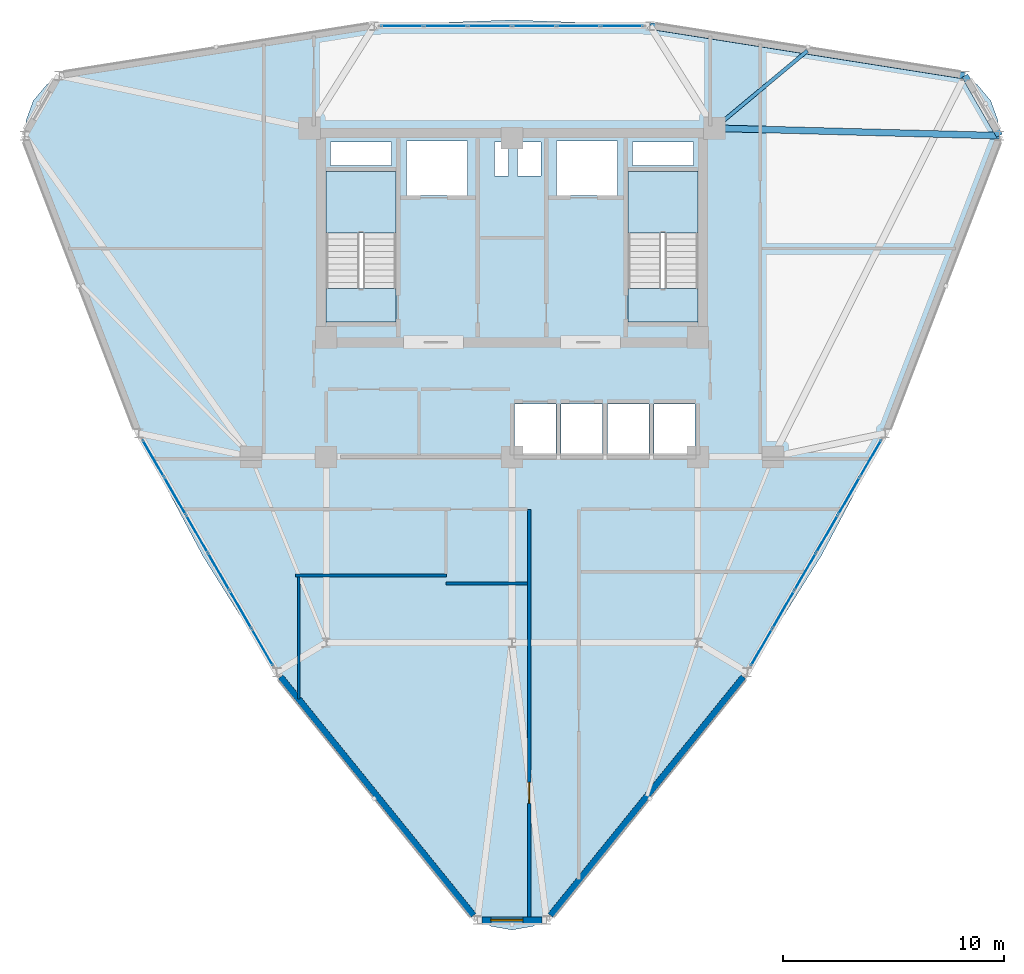
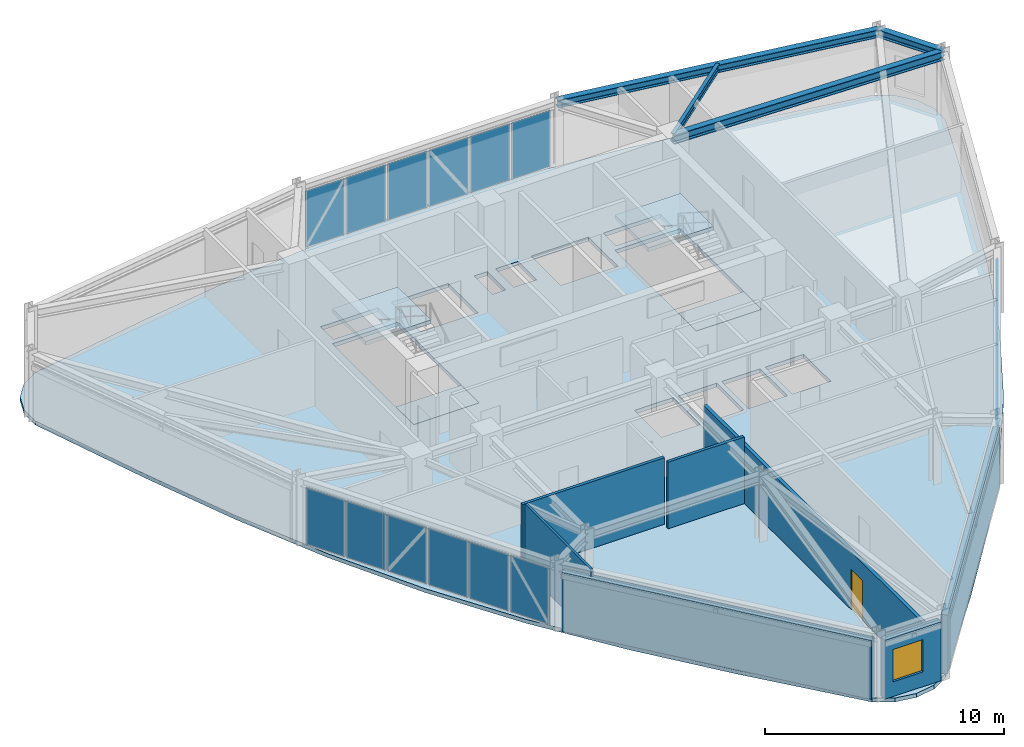
# One storey, part 9 of 14: 18 plates, 7 walls, 5 slabs, 4 beams, 1 door, 1 window, 2 openings, 5 elements without a shape of their own.
"""IFC4 building model written with IfcOpenShell, lengths in metres."""

import ifcopenshell
import ifcopenshell.guid

model = None  # the IFC model being written
_history = None  # IfcOwnerHistory: only IFC2X3 demands one
_inside = {}  # id of a spatial element -> (the spatial element, [elements in it])
_under = {}  # id of a project, library or spatial element -> (it, [spatial elements below it])
_declared = {}  # id of a project -> (the project, [libraries it declares])
_typed = {}  # id of a type object -> (the type object, [elements of that type])
_made_of = {}  # id of a material, layer set ... -> (it, [elements and type objects made of it])


def new_model(schema):
    """Start an empty IFC model of exactly this schema.

    Asked for "IFC4X3", IfcOpenShell would pick the latest addendum, in which some entities
    have other attributes; the version numbers below select the first issue.
    IFC2X3 requires an IfcOwnerHistory on every rooted entity: one is made here for all.
    """
    global model, _history
    if schema == "IFC4X3":
        model = ifcopenshell.file(schema_version=(4, 3, 0, 0))
    else:
        model = ifcopenshell.file(schema=schema)
    _inside.clear()
    _under.clear()
    _declared.clear()
    _typed.clear()
    _made_of.clear()
    _history = None
    if model.schema == "IFC2X3":
        org = make("IfcOrganization", Name="unknown")
        user = make(
            "IfcPersonAndOrganization",
            ThePerson=make("IfcPerson", FamilyName="unknown"),
            TheOrganization=org,
        )
        app = make(
            "IfcApplication",
            ApplicationDeveloper=org,
            Version="unknown",
            ApplicationFullName="unknown",
            ApplicationIdentifier="unknown",
        )
        _history = make(
            "IfcOwnerHistory",
            OwningUser=user,
            OwningApplication=app,
            ChangeAction="ADDED",
            CreationDate=0,
        )
    return model


def make(cls, **values):
    """One entity of the class cls with the attributes given. An attribute that is None is left unset."""
    return model.create_entity(
        cls, **{name: value for name, value in values.items() if value is not None}
    )


def rooted(cls, **values):
    """An entity with a GlobalId (a new one), such as an element, a storey or a relation."""
    return make(cls, GlobalId=ifcopenshell.guid.new(), OwnerHistory=_history, **values)


def si_unit(unit_type, name, prefix=None):
    """IfcSIUnit, for example si_unit("LENGTHUNIT", "METRE", prefix="MILLI")."""
    return make("IfcSIUnit", UnitType=unit_type, Prefix=prefix, Name=name)


def derived_unit(unit_type, elements):
    """IfcDerivedUnit: a product of units, each with its exponent."""
    return make(
        "IfcDerivedUnit",
        Elements=[
            make("IfcDerivedUnitElement", Unit=unit, Exponent=power)
            for unit, power in elements
        ],
        UnitType=unit_type,
    )


def assignment(units):
    """IfcUnitAssignment: the units of a project."""
    return None if units is None else make("IfcUnitAssignment", Units=units)


def point(xyz):
    """IfcCartesianPoint."""
    return None if xyz is None else make("IfcCartesianPoint", Coordinates=xyz)


def direction(xyz):
    """IfcDirection."""
    return None if xyz is None else make("IfcDirection", DirectionRatios=xyz)


def frame(location, z_axis=None, x_axis=None):
    """IfcAxis2Placement3D, a coordinate frame: its origin and axes. An axis left out is left unset."""
    return make(
        "IfcAxis2Placement3D",
        Location=point(location),
        Axis=direction(z_axis),
        RefDirection=direction(x_axis),
    )


def frame_2d(location, x_axis=None):
    """IfcAxis2Placement2D, a coordinate frame in the plane: its origin and x axis."""
    return make(
        "IfcAxis2Placement2D", Location=point(location), RefDirection=direction(x_axis)
    )


def origin():
    """The frame at (0, 0, 0) with its axes left unset."""
    return frame((0.0, 0.0, 0.0))


def origin_2d():
    """The frame at (0, 0) in the plane with its x axis left unset."""
    return frame_2d((0.0, 0.0))


def place(relative_to, where):
    """IfcLocalPlacement: puts the frame where relative to a parent placement (None: the world)."""
    return make(
        "IfcLocalPlacement", PlacementRelTo=relative_to, RelativePlacement=where
    )


def context(
    kind, dimensions, precision=None, world=None, true_north=None, identifier=None
):
    """IfcGeometricRepresentationContext, for example the 3D "Model" context."""
    return make(
        "IfcGeometricRepresentationContext",
        ContextIdentifier=identifier,
        ContextType=kind,
        CoordinateSpaceDimension=dimensions,
        Precision=precision,
        WorldCoordinateSystem=world,
        TrueNorth=true_north,
    )


def subcontext(parent, identifier, kind, view, scale=None):
    """IfcGeometricRepresentationSubContext, for example "Body" below "Model"."""
    return make(
        "IfcGeometricRepresentationSubContext",
        ContextIdentifier=identifier,
        ContextType=kind,
        ParentContext=parent,
        TargetScale=scale,
        TargetView=view,
    )


def project(units=None, contexts=None):
    """IfcProject with its units and contexts."""
    return rooted(
        "IfcProject",
        Name="project",
        RepresentationContexts=contexts,
        UnitsInContext=assignment(units),
    )


def spatial(cls, under=None, at=None, **own):
    """A site, building, storey or space (cls), placed at a placement, below another one or the project."""
    s = rooted(cls, ObjectPlacement=at, **own)
    if under is not None:
        _under.setdefault(under.id(), (under, []))[1].append(s)
    return s


def polyline(points):
    """IfcPolyline through the points."""
    return make("IfcPolyline", Points=[point(p) for p in points])


def profile(cls, at=None, kind="AREA", **sizes):
    """A parametric profile (cls). Its sizes go by their IFC names, for example OverallWidth=200.0."""
    return make(cls, ProfileType=kind, Position=at, **sizes)


def rectangle(**sizes):
    """IfcRectangleProfileDef."""
    return profile("IfcRectangleProfileDef", **sizes)


def i_section(**sizes):
    """IfcIShapeProfileDef."""
    return profile("IfcIShapeProfileDef", **sizes)


def outline(outer, holes=None, kind="AREA"):
    """IfcArbitraryClosedProfileDef: a profile drawn as a closed curve; with holes, ...WithVoids."""
    if holes is None:
        return make("IfcArbitraryClosedProfileDef", ProfileType=kind, OuterCurve=outer)
    return make(
        "IfcArbitraryProfileDefWithVoids",
        ProfileType=kind,
        OuterCurve=outer,
        InnerCurves=holes,
    )


def extrude(swept, where, along, depth):
    """IfcExtrudedAreaSolid: the profile swept, set in the frame where, extruded along a direction by depth."""
    return make(
        "IfcExtrudedAreaSolid",
        SweptArea=swept,
        Position=where,
        ExtrudedDirection=direction(along),
        Depth=depth,
    )


def shape(context_of_items, identifier, shape_type, items):
    """IfcShapeRepresentation: the items that make up one representation, for example the "Body"."""
    return make(
        "IfcShapeRepresentation",
        ContextOfItems=context_of_items,
        RepresentationIdentifier=identifier,
        RepresentationType=shape_type,
        Items=items,
    )


def source(mapping_origin, context_of_items, identifier, shape_type, items):
    """IfcRepresentationMap: a shape defined once, which mapped items show again and again."""
    return make(
        "IfcRepresentationMap",
        MappingOrigin=mapping_origin,
        MappedRepresentation=shape(context_of_items, identifier, shape_type, items),
    )


def transform(
    local_origin,
    x_axis=None,
    y_axis=None,
    z_axis=None,
    scale=None,
    scale2=None,
    scale3=None,
    uniform=True,
):
    """IfcCartesianTransformationOperator3D, or its non-uniform kind. x_axis, y_axis, z_axis: its Axis1, 2, 3."""
    if uniform:
        return make(
            "IfcCartesianTransformationOperator3D",
            Axis1=direction(x_axis),
            Axis2=direction(y_axis),
            LocalOrigin=point(local_origin),
            Scale=scale,
            Axis3=direction(z_axis),
        )
    return make(
        "IfcCartesianTransformationOperator3DnonUniform",
        Axis1=direction(x_axis),
        Axis2=direction(y_axis),
        LocalOrigin=point(local_origin),
        Scale=scale,
        Axis3=direction(z_axis),
        Scale2=scale2,
        Scale3=scale3,
    )


def mapped(mapping_source, mapping_target):
    """IfcMappedItem: shows the shape of a source again, moved by a transform."""
    return make(
        "IfcMappedItem", MappingSource=mapping_source, MappingTarget=mapping_target
    )


def material(Name=None, Category=None):
    """IfcMaterial."""
    return make("IfcMaterial", Name=Name, Category=Category)


def layer(
    of_material, thickness, ventilated=None, Name=None, Category=None, Priority=None
):
    """IfcMaterialLayer: one layer of a wall or slab, of a material (None: an air gap)."""
    return make(
        "IfcMaterialLayer",
        Material=of_material,
        LayerThickness=thickness,
        IsVentilated=ventilated,
        Name=Name,
        Category=Category,
        Priority=Priority,
    )


def layer_set(layers, Name=None):
    """IfcMaterialLayerSet."""
    return make("IfcMaterialLayerSet", MaterialLayers=layers, LayerSetName=Name)


def material_profile(
    of_material, cross_section, Name=None, Category=None, Priority=None
):
    """IfcMaterialProfile: a cross section and its material."""
    return make(
        "IfcMaterialProfile",
        Name=Name,
        Material=of_material,
        Profile=cross_section,
        Priority=Priority,
        Category=Category,
    )


def profile_set(profiles, Name=None, composite=None):
    """IfcMaterialProfileSet."""
    return make(
        "IfcMaterialProfileSet",
        Name=Name,
        MaterialProfiles=profiles,
        CompositeProfile=composite,
    )


def made_of(thing, what):
    """Note that an element or type object is made of a material, layer set ...; save() writes the relation."""
    if what is not None:
        _made_of.setdefault(what.id(), (what, []))[1].append(thing)
    return thing


def type_object(cls, material=None, **own):
    """A type object (cls), such as IfcWallType, which elements share."""
    return made_of(rooted(cls, **own), material)


def element(
    cls,
    number,
    at=None,
    inside=None,
    cuts=None,
    type_object=None,
    material=None,
    context=None,
    identifier="Body",
    shape_type=None,
    held_by="IfcProductDefinitionShape",
    body=None,
    shapes=None,
    **own,
):
    """One element of the class cls, such as IfcWall. Its Tag is "e" and its number.

    at: its placement. inside: the storey or other place that contains it. cuts: it is an
    opening in that element (IfcRelVoidsElement). A single representation is given by context,
    identifier, shape_type and body (its items); several are given by shapes. held_by: the class
    of the entity that holds the representations. save() writes the other relations.
    """
    e = rooted(cls, Tag="e%d" % number, ObjectPlacement=at, **own)
    if body is not None:
        shapes = [shape(context, identifier, shape_type, body)]
    if shapes is not None:
        e.Representation = make(held_by, Representations=shapes)
    if inside is not None:
        _inside.setdefault(inside.id(), (inside, []))[1].append(e)
    if cuts is not None:
        rooted(
            "IfcRelVoidsElement", RelatingBuildingElement=cuts, RelatedOpeningElement=e
        )
    if type_object is not None:
        _typed.setdefault(type_object.id(), (type_object, []))[1].append(e)
    return made_of(e, material)


def fill(opening, filler):
    """IfcRelFillsElement: the door or window that sits in an opening."""
    return rooted(
        "IfcRelFillsElement",
        RelatingOpeningElement=opening,
        RelatedBuildingElement=filler,
    )


def aggregate(whole, parts):
    """IfcRelAggregates: a whole, such as a stair, and the parts it consists of."""
    return rooted("IfcRelAggregates", RelatingObject=whole, RelatedObjects=parts)


def save(model, path):
    """Write the relations noted so far, then the file.

    IfcRelAggregates (storeys below a building ...), IfcRelContainedInSpatialStructure (elements
    in a storey), IfcRelDefinesByType, IfcRelAssociatesMaterial and IfcRelDeclares: one each for
    every whole, place, type object, material and project.
    """
    for whole, parts in _under.values():
        aggregate(whole, parts)
    for where, things in _inside.values():
        rooted(
            "IfcRelContainedInSpatialStructure",
            RelatedElements=things,
            RelatingStructure=where,
        )
    for kind, things in _typed.values():
        rooted("IfcRelDefinesByType", RelatedObjects=things, RelatingType=kind)
    for what, things in _made_of.values():
        rooted("IfcRelAssociatesMaterial", RelatedObjects=things, RelatingMaterial=what)
    for by, libraries in _declared.values():
        rooted("IfcRelDeclares", RelatingContext=by, RelatedDefinitions=libraries)
    model.write(path)


model = new_model("IFC4")

# Units and contexts
model_context = context("Model", 3, precision=1e-05, world=origin(), true_north=direction((0.0, 1.0)))
body_context = subcontext(model_context, "Body", "Model", "MODEL_VIEW")
ifc_project = project(units=[si_unit("LENGTHUNIT", "METRE"), si_unit("AREAUNIT", "SQUARE_METRE"), si_unit("VOLUMEUNIT", "CUBIC_METRE"), si_unit("PLANEANGLEUNIT", "RADIAN"), si_unit("MASSUNIT", "GRAM", prefix="KILO"), derived_unit("THERMALTRANSMITTANCEUNIT", [(si_unit("POWERUNIT", "WATT"), 1), (si_unit("LENGTHUNIT", "METRE"), -2), (si_unit("THERMODYNAMICTEMPERATUREUNIT", "KELVIN"), -1)])], contexts=[model_context])

# Site, building, storey
site_placement = place(None, origin())
site = spatial("IfcSite", under=ifc_project, at=site_placement, CompositionType="ELEMENT")
building_placement = place(site_placement, origin())
building = spatial("IfcBuilding", under=site, at=building_placement, Name="Korsvarv Bourse and Concert Hall", CompositionType="ELEMENT")
storey_placement = place(building_placement, frame((0.0, 0.0, 190.199951171875)))
storey = spatial("IfcBuildingStorey", under=building, at=storey_placement, Name="L49", CompositionType="ELEMENT", Elevation=190.199951171875)

# Beams
ifc_material_1 = material(Name="Steel S355", Category="steel")
ifc_material_profile_1 = material_profile(ifc_material_1, i_section(OverallWidth=0.300048828125, OverallDepth=0.389892578125, WebThickness=0.010986328125, FlangeThickness=0.01904296875, FilletRadius=0.02099609375, at=origin_2d()), Name="HEA 400")
ifc_profile_set_1 = profile_set([ifc_material_profile_1], Name="Steel S355")
beam_type_1 = type_object("IfcBeamType", Name="BM-HEA400", PredefinedType="BEAM", material=ifc_profile_set_1)
shared_shape_1 = source(origin(), body_context, "Body", "SweptSolid", [
    extrude(i_section(OverallWidth=0.300048828125, OverallDepth=0.389892578125, WebThickness=0.010986328125, FlangeThickness=0.01904296875, FilletRadius=0.02099609375, at=origin_2d()), origin(), (0.0, 0.0, 1.0), 3.12939453125),
])
beam_1_placement = place(storey_placement, frame((58.0302734375, 46.912353515625, 3.205078125), z_axis=(-0.499990325971, 0.866030989016, 0.0), x_axis=(-0.866030989016, -0.499990325971, 0.0)))
element("IfcBeam", 1, at=beam_1_placement, inside=storey, type_object=beam_type_1, Name="L49 beam B-11", PredefinedType="BEAM", context=body_context, shape_type="MappedRepresentation", body=[
    mapped(shared_shape_1, transform((0.0, 0.0, 0.0), scale=1.0)),
])
shared_shape_2 = source(origin(), body_context, "Body", "SweptSolid", [
    extrude(i_section(OverallWidth=0.300048828125, OverallDepth=0.389892578125, WebThickness=0.010986328125, FlangeThickness=0.01904296875, FilletRadius=0.02099609375, at=origin_2d()), origin(), (0.0, 0.0, 1.0), 14.4091796875),
])
beam_2_placement = place(storey_placement, frame((56.465576171875, 49.62255859375, 3.205078125), z_axis=(-0.987741112202, 0.156100913728, 0.0), x_axis=(-0.156100913728, -0.987741112202, 0.0)))
element("IfcBeam", 2, at=beam_2_placement, inside=storey, type_object=beam_type_1, Name="L49 beam B-11", PredefinedType="BEAM", context=body_context, shape_type="MappedRepresentation", body=[
    mapped(shared_shape_2, transform((0.0, 0.0, 0.0), scale=1.0)),
])
ifc_material_profile_2 = material_profile(ifc_material_1, i_section(OverallWidth=0.300048828125, OverallDepth=0.449951171875, WebThickness=0.013916015625, FlangeThickness=0.02587890625, FilletRadius=0.02099609375, at=origin_2d()), Name="HEB 450")
ifc_profile_set_2 = profile_set([ifc_material_profile_2], Name="Steel S355")
beam_type_2 = type_object("IfcBeamType", Name="BM-HEB450", PredefinedType="SPANDREL", material=ifc_profile_set_2)
shared_shape_3 = source(origin(), body_context, "Body", "SweptSolid", [
    extrude(i_section(OverallWidth=0.300048828125, OverallDepth=0.449951171875, WebThickness=0.013916015625, FlangeThickness=0.02587890625, FilletRadius=0.02099609375, at=origin_2d()), origin(), (0.0, 0.0, 1.0), 12.884765625),
])
beam_3_placement = place(storey_placement, frame((58.0302734375, 46.912353515625, 3.175048828125), z_axis=(-0.999656589191, 0.026205031708, 0.0), x_axis=(-0.026205031708, -0.999656589191, 0.0)))
element("IfcBeam", 3, at=beam_3_placement, inside=storey, type_object=beam_type_2, Name="L49 beam B-08", PredefinedType="SPANDREL", context=body_context, shape_type="MappedRepresentation", body=[
    mapped(shared_shape_3, transform((0.0, 0.0, 0.0), scale=1.0)),
])
ifc_material_profile_3 = material_profile(ifc_material_1, i_section(OverallWidth=0.169921875, OverallDepth=0.360107421875, WebThickness=0.008056640625, FlangeThickness=0.0126953125, FilletRadius=0.01806640625, at=origin_2d()), Name="IPE 360")
ifc_profile_set_3 = profile_set([ifc_material_profile_3], Name="Steel S355")
beam_type_3 = type_object("IfcBeamType", Name="BM-IPE360", PredefinedType="JOIST", material=ifc_profile_set_3)
shared_shape_4 = source(origin(), body_context, "Body", "SweptSolid", [
    extrude(i_section(OverallWidth=0.169921875, OverallDepth=0.360107421875, WebThickness=0.008056640625, FlangeThickness=0.0126953125, FilletRadius=0.01806640625, at=origin_2d()), origin(), (0.0, 0.0, 1.0), 5.465087890625),
])
beam_4_placement = place(storey_placement, frame((49.349365234375, 50.747314453125, 3.219970703125), z_axis=(-0.768422636875, -0.639942693636, 0.0), x_axis=(0.639942693636, -0.768422636875, 0.0)))
element("IfcBeam", 4, at=beam_4_placement, inside=storey, type_object=beam_type_3, Name="L49 beam J-06", PredefinedType="JOIST", context=body_context, shape_type="MappedRepresentation", body=[
    mapped(shared_shape_4, transform((0.0, 0.0, 0.0), scale=1.0)),
])

# Slabs
ifc_material_2 = material(Name="Precast concrete C45/55", Category="concrete")
ifc_layer_1 = layer(ifc_material_2, 0.199951171875)
ifc_layer_set_1 = layer_set([ifc_layer_1], Name="Precast concrete C45/55")
slab_type_1 = type_object("IfcSlabType", Name="SLB-FLND-T", PredefinedType="LANDING", material=ifc_layer_set_1)
slab_1_placement = place(storey_placement, frame((0.0, 0.0, -0.199951171875)))
element("IfcSlab", 5, at=slab_1_placement, inside=storey, type_object=slab_type_1, Name="L49 Stair ST-T1 Floor Landing Slab", PredefinedType="LANDING", context=body_context, shape_type="SweptSolid", body=[
    extrude(outline(polyline([(30.760009765625, 38.5), (30.760009765625, 40.0), (27.60009765625, 40.0), (27.60009765625, 38.5), (30.760009765625, 38.5)])), origin(), (0.0, 0.0, 1.0), 0.199951171875),
])
slab_2_placement = place(storey_placement, frame((0.0, 0.0, -0.199951171875)))
element("IfcSlab", 6, at=slab_2_placement, inside=storey, type_object=slab_type_1, Name="L49 Stair ST-T2 Floor Landing Slab", PredefinedType="LANDING", context=body_context, shape_type="SweptSolid", body=[
    extrude(outline(polyline([(44.39990234375, 38.5), (44.39990234375, 40.0), (41.239990234375, 40.0), (41.239990234375, 38.5), (44.39990234375, 38.5)])), origin(), (0.0, 0.0, 1.0), 0.199951171875),
])

# Stair, slab
stair_type = type_object("IfcStairType", Name="STR-TYPE-04", PredefinedType="HALF_TURN_STAIR", material=ifc_material_2)
stair_1_placement = place(storey_placement, origin())
stair_1 = element("IfcStair", 7, at=stair_1_placement, inside=storey, type_object=stair_type, Name="L49 Tower West Exit Stair ST-T1", PredefinedType="HALF_TURN_STAIR")
ifc_layer_2 = layer(ifc_material_2, 0.199951171875)
ifc_layer_set_2 = layer_set([ifc_layer_2], Name="Precast concrete C45/55")
slab_type_2 = type_object("IfcSlabType", Name="SLB-ST-LND", PredefinedType="LANDING", material=ifc_layer_set_2)
slab_3_placement = place(storey_placement, frame((0.0, 0.0, 1.60009765625)))
slab_3 = element("IfcSlab", 8, at=slab_3_placement, type_object=slab_type_2, Name="ST-T1 landing 1", PredefinedType="LANDING", context=body_context, shape_type="SweptSolid", body=[
    extrude(outline(polyline([(30.760009765625, 42.52001953125), (30.760009765625, 45.300048828125), (27.60009765625, 45.300048828125), (27.60009765625, 42.52001953125), (30.760009765625, 42.52001953125)])), origin(), (0.0, 0.0, 1.0), 0.199951171875),
])
aggregate(stair_1, [slab_3])

stair_2_placement = place(storey_placement, origin())
stair_2 = element("IfcStair", 9, at=stair_2_placement, inside=storey, type_object=stair_type, Name="L49 Tower East Exit Stair ST-T2", PredefinedType="HALF_TURN_STAIR")
slab_4_placement = place(storey_placement, frame((0.0, 0.0, 1.60009765625)))
slab_4 = element("IfcSlab", 10, at=slab_4_placement, type_object=slab_type_2, Name="ST-T2 landing 1", PredefinedType="LANDING", context=body_context, shape_type="SweptSolid", body=[
    extrude(outline(polyline([(44.39990234375, 42.52001953125), (44.39990234375, 45.300048828125), (41.239990234375, 45.300048828125), (41.239990234375, 42.52001953125), (44.39990234375, 42.52001953125)])), origin(), (0.0, 0.0, 1.0), 0.199951171875),
])
aggregate(stair_2, [slab_4])

# Slab
ifc_material_3 = material(Name="Concrete C45/55", Category="concrete")
ifc_layer_3 = layer(ifc_material_3, 0.199951171875)
ifc_layer_set_3 = layer_set([ifc_layer_3], Name="Concrete C45/55")
slab_type_3 = type_object("IfcSlabType", Name="SLB-TW2", PredefinedType="FLOOR", material=ifc_layer_set_3)
slab_5_placement = place(storey_placement, frame((0.0, 0.0, -0.199951171875)))
element("IfcSlab", 11, at=slab_5_placement, inside=storey, type_object=slab_type_3, Name="L49 tower structural floor slab", PredefinedType="FLOOR", context=body_context, shape_type="SweptSolid", body=[
    extrude(outline(polyline([(57.580810546875, 45.571044921875), (55.926025390625, 40.9873046875), (54.166015625, 36.489013671875), (52.205078125, 32.126953125), (49.977294921875, 27.93017578125), (47.45654296875, 23.902587890625), (44.659423828125, 20.023193359375), (41.64404296875, 16.25), (38.501708984375, 12.52490234375), (38.5, 12.523193359375), (37.781494140625, 11.6669921875), (36.947998046875, 11.185791015625), (36.0, 11.0185546875), (35.052001953125, 11.185791015625), (34.218505859375, 11.6669921875), (33.5, 12.523193359375), (33.498291015625, 12.52490234375), (30.35595703125, 16.25), (27.340576171875, 20.023193359375), (24.54345703125, 23.902587890625), (22.022705078125, 27.93017578125), (19.794921875, 32.126953125), (17.833984375, 36.489013671875), (16.073974609375, 40.9873046875), (14.419189453125, 45.571044921875), (14.41845703125, 45.5732421875), (14.0361328125, 46.62353515625), (14.0361328125, 47.586181640625), (14.365478515625, 48.49072265625), (14.984130859375, 49.22802734375), (15.81787109375, 49.70947265625), (16.918701171875, 49.903564453125), (16.9208984375, 49.904052734375), (21.718017578125, 50.762939453125), (26.493408203125, 51.48779296875), (31.251708984375, 51.970458984375), (36.0, 52.1396484375), (40.748291015625, 51.970458984375), (45.506591796875, 51.48779296875), (50.281982421875, 50.762939453125), (55.0791015625, 49.904052734375), (55.081298828125, 49.903564453125), (56.18212890625, 49.70947265625), (57.015869140625, 49.22802734375), (57.634521484375, 48.49072265625), (57.9638671875, 47.586181640625), (57.9638671875, 46.62353515625), (57.58154296875, 45.5732421875), (57.580810546875, 45.571044921875)]), holes=[polyline([(30.760009765625, 38.5), (30.760009765625, 45.300048828125), (27.60009765625, 45.300048828125), (27.60009765625, 38.5), (30.760009765625, 38.5)]), polyline([(44.39990234375, 38.5), (44.39990234375, 45.300048828125), (41.239990234375, 45.300048828125), (41.239990234375, 38.5), (44.39990234375, 38.5)]), polyline([(31.239990234375, 44.219970703125), (34.0, 44.219970703125), (34.0, 46.679931640625), (31.239990234375, 46.679931640625), (31.239990234375, 44.219970703125)]), polyline([(38.0, 44.219970703125), (40.760009765625, 44.219970703125), (40.760009765625, 46.679931640625), (38.0, 46.679931640625), (38.0, 44.219970703125)]), polyline([(36.1201171875, 32.52001953125), (37.97998046875, 32.52001953125), (37.97998046875, 34.780029296875), (36.1201171875, 34.780029296875), (36.1201171875, 32.52001953125)]), polyline([(38.219970703125, 32.52001953125), (40.080078125, 32.52001953125), (40.080078125, 34.780029296875), (38.219970703125, 34.780029296875), (38.219970703125, 32.52001953125)]), polyline([(40.320068359375, 32.52001953125), (42.179931640625, 32.52001953125), (42.179931640625, 34.780029296875), (40.320068359375, 34.780029296875), (40.320068359375, 32.52001953125)]), polyline([(42.419921875, 32.52001953125), (44.280029296875, 32.52001953125), (44.280029296875, 34.780029296875), (42.419921875, 34.780029296875), (42.419921875, 32.52001953125)]), polyline([(27.800048828125, 45.56005859375), (30.56005859375, 45.56005859375), (30.56005859375, 46.6201171875), (27.800048828125, 46.6201171875), (27.800048828125, 45.56005859375)]), polyline([(41.43994140625, 45.56005859375), (44.199951171875, 45.56005859375), (44.199951171875, 46.6201171875), (41.43994140625, 46.6201171875), (41.43994140625, 45.56005859375)]), polyline([(35.199951171875, 45.080078125), (35.840087890625, 45.080078125), (35.840087890625, 46.6201171875), (35.199951171875, 46.6201171875), (35.199951171875, 45.080078125)]), polyline([(36.239990234375, 45.080078125), (37.320068359375, 45.080078125), (37.320068359375, 46.6201171875), (36.239990234375, 46.6201171875), (36.239990234375, 45.080078125)])]), origin(), (0.0, 0.0, 1.0), 0.199951171875),
])

# Curtain wall, plates
ifc_material_4 = material(Name="Anodised aluminium and triple low-E glazing", Category="glass")
ifc_layer_4 = layer(ifc_material_4, 0.199951171875)
ifc_layer_set_4 = layer_set([ifc_layer_4], Name="Anodised aluminium and triple low-E glazing")
curtain_wall_type = type_object("IfcCurtainWallType", Name="CW-SYS-3", PredefinedType="NOTDEFINED", material=ifc_layer_set_4)
curtain_wall_1_placement = place(storey_placement, origin())
curtain_wall_1 = element("IfcCurtainWall", 12, at=curtain_wall_1_placement, inside=storey, type_object=curtain_wall_type, Name="L49 CW3 curtain wall CW-L49-F03", PredefinedType="NOTDEFINED")
ifc_material_5 = material(Name="Tempered triple insulated low-E architectural glass", Category="glass")
ifc_layer_5 = layer(ifc_material_5, 0.0380859375)
ifc_layer_set_5 = layer_set([ifc_layer_5], Name="Tempered triple insulated low-E architectural glass")
plate_type_1 = type_object("IfcPlateType", Name="CWP-VIS2", PredefinedType="CURTAIN_PANEL", material=ifc_layer_set_5)
shared_shape_5 = source(origin(), body_context, "Body", "SweptSolid", [
    extrude(rectangle(XDim=1.888427734375, YDim=0.0380859375, at=origin_2d()), origin(), (0.0, 0.0, 1.0), 2.8798828125),
])
plate_1_placement = place(storey_placement, frame((40.9658203125, 51.871826171875, 0.065185546875), z_axis=(0.0, 0.0, 1.0), x_axis=(-1.0, 0.0, 0.0)))
plate_1 = element("IfcPlate", 13, at=plate_1_placement, type_object=plate_type_1, Name="CW3 faceted panel 1.1", PredefinedType="CURTAIN_PANEL", context=body_context, shape_type="MappedRepresentation", body=[
    mapped(shared_shape_5, transform((0.0, 0.0, 0.0), scale=1.0)),
])
shared_shape_6 = source(origin(), body_context, "Body", "SweptSolid", [
    extrude(rectangle(XDim=1.92333984375, YDim=0.0380859375, at=origin_2d()), origin(), (0.0, 0.0, 1.0), 2.8798828125),
])
plate_2_placement = place(storey_placement, frame((38.989990234375, 51.871826171875, 0.065185546875), z_axis=(0.0, 0.0, 1.0), x_axis=(-1.0, 0.0, 0.0)))
plate_2 = element("IfcPlate", 14, at=plate_2_placement, type_object=plate_type_1, Name="CW3 faceted panel 2.1", PredefinedType="CURTAIN_PANEL", context=body_context, shape_type="MappedRepresentation", body=[
    mapped(shared_shape_6, transform((0.0, 0.0, 0.0), scale=1.0)),
])
plate_3_placement = place(storey_placement, frame((35.00341796875, 51.871826171875, 0.065185546875), z_axis=(0.0, 0.0, 1.0), x_axis=(-1.0, 0.0, 0.0)))
plate_3 = element("IfcPlate", 15, at=plate_3_placement, type_object=plate_type_1, Name="CW3 faceted panel 4.1", PredefinedType="CURTAIN_PANEL", context=body_context, shape_type="MappedRepresentation", body=[
    mapped(shared_shape_6, transform((0.0, 0.0, 0.0), scale=1.0)),
])
plate_4_placement = place(storey_placement, frame((33.010009765625, 51.871826171875, 0.065185546875), z_axis=(0.0, 0.0, 1.0), x_axis=(-1.0, 0.0, 0.0)))
plate_4 = element("IfcPlate", 16, at=plate_4_placement, type_object=plate_type_1, Name="CW3 faceted panel 5.1", PredefinedType="CURTAIN_PANEL", context=body_context, shape_type="MappedRepresentation", body=[
    mapped(shared_shape_6, transform((0.0, 0.0, 0.0), scale=1.0)),
])
ifc_material_6 = material(Name="Insulated spandrel glass", Category="glass")
ifc_layer_6 = layer(ifc_material_6, 0.031982421875)
ifc_layer_set_6 = layer_set([ifc_layer_6], Name="Insulated spandrel glass")
plate_type_2 = type_object("IfcPlateType", Name="CWP-SPD1", PredefinedType="CURTAIN_PANEL", material=ifc_layer_set_6)
shared_shape_7 = source(origin(), body_context, "Body", "SweptSolid", [
    extrude(rectangle(XDim=1.92333984375, YDim=0.031982421875, at=origin_2d()), origin(), (0.0, 0.0, 1.0), 2.8798828125),
])
plate_5_placement = place(storey_placement, frame((36.99658203125, 51.871826171875, 0.065185546875), z_axis=(0.0, 0.0, 1.0), x_axis=(-1.0, 0.0, 0.0)))
plate_5 = element("IfcPlate", 17, at=plate_5_placement, type_object=plate_type_2, Name="CW3 spandrel shadow-box panel 3.1", PredefinedType="CURTAIN_PANEL", context=body_context, shape_type="MappedRepresentation", body=[
    mapped(shared_shape_7, transform((0.0, 0.0, 0.0), scale=1.0)),
])
shared_shape_8 = source(origin(), body_context, "Body", "SweptSolid", [
    extrude(rectangle(XDim=1.888427734375, YDim=0.031982421875, at=origin_2d()), origin(), (0.0, 0.0, 1.0), 2.8798828125),
])
plate_6_placement = place(storey_placement, frame((31.0341796875, 51.871826171875, 0.065185546875), z_axis=(0.0, 0.0, 1.0), x_axis=(-1.0, 0.0, 0.0)))
plate_6 = element("IfcPlate", 18, at=plate_6_placement, type_object=plate_type_2, Name="CW3 spandrel shadow-box panel 6.1", PredefinedType="CURTAIN_PANEL", context=body_context, shape_type="MappedRepresentation", body=[
    mapped(shared_shape_8, transform((0.0, 0.0, 0.0), scale=1.0)),
])
aggregate(curtain_wall_1, [plate_1, plate_2, plate_5, plate_3, plate_4, plate_6])

# Curtain wall, plate
curtain_wall_2_placement = place(storey_placement, origin())
curtain_wall_2 = element("IfcCurtainWall", 19, at=curtain_wall_2_placement, inside=storey, type_object=curtain_wall_type, Name="L49 CW3 curtain wall CW-L49-F07", PredefinedType="NOTDEFINED")
shared_shape_9 = source(origin(), body_context, "Body", "SweptSolid", [
    extrude(rectangle(XDim=1.873291015625, YDim=0.0380859375, at=origin_2d()), origin(), (0.0, 0.0, 1.0), 2.8798828125),
])
plate_7_placement = place(storey_placement, frame((19.79052734375, 32.332275390625, 0.065185546875), z_axis=(0.0, 0.0, 1.0), x_axis=(0.499992512708, -0.866029726531, 0.0)))
plate_7 = element("IfcPlate", 20, at=plate_7_placement, type_object=plate_type_1, Name="CW3 faceted panel 1.1", PredefinedType="CURTAIN_PANEL", context=body_context, shape_type="MappedRepresentation", body=[
    mapped(shared_shape_9, transform((0.0, 0.0, 0.0), scale=1.0)),
])

curtain_wall_3_placement = place(storey_placement, origin())
curtain_wall_3 = element("IfcCurtainWall", 21, at=curtain_wall_3_placement, inside=storey, type_object=curtain_wall_type, Name="L49 CW3 curtain wall CW-L49-F11", PredefinedType="NOTDEFINED")
plate_8_placement = place(storey_placement, frame((47.28125, 23.7958984375, 0.065185546875), z_axis=(0.0, 0.0, 1.0), x_axis=(0.499992512708, 0.866029726531, 0.0)))
plate_8 = element("IfcPlate", 22, at=plate_8_placement, type_object=plate_type_1, Name="CW3 faceted panel 1.1", PredefinedType="CURTAIN_PANEL", context=body_context, shape_type="MappedRepresentation", body=[
    mapped(shared_shape_9, transform((0.0, 0.0, 0.0), scale=1.0)),
])

# Plate
shared_shape_10 = source(origin(), body_context, "Body", "SweptSolid", [
    extrude(rectangle(XDim=1.908447265625, YDim=0.0380859375, at=origin_2d()), origin(), (0.0, 0.0, 1.0), 2.8798828125),
])
plate_9_placement = place(storey_placement, frame((20.77099609375, 30.63427734375, 0.065185546875), z_axis=(0.0, 0.0, 1.0), x_axis=(0.499992512708, -0.866029726531, 0.0)))
plate_9 = element("IfcPlate", 23, at=plate_9_placement, type_object=plate_type_1, Name="CW3 faceted panel 2.1", PredefinedType="CURTAIN_PANEL", context=body_context, shape_type="MappedRepresentation", body=[
    mapped(shared_shape_10, transform((0.0, 0.0, 0.0), scale=1.0)),
])

plate_10_placement = place(storey_placement, frame((22.749267578125, 27.20751953125, 0.065185546875), z_axis=(0.0, 0.0, 1.0), x_axis=(0.499992512708, -0.866029726531, 0.0)))
plate_10 = element("IfcPlate", 24, at=plate_10_placement, type_object=plate_type_1, Name="CW3 faceted panel 4.1", PredefinedType="CURTAIN_PANEL", context=body_context, shape_type="MappedRepresentation", body=[
    mapped(shared_shape_10, transform((0.0, 0.0, 0.0), scale=1.0)),
])

plate_11_placement = place(storey_placement, frame((23.738525390625, 25.494140625, 0.065185546875), z_axis=(0.0, 0.0, 1.0), x_axis=(0.499992512708, -0.866029726531, 0.0)))
plate_11 = element("IfcPlate", 25, at=plate_11_placement, type_object=plate_type_1, Name="CW3 faceted panel 5.1", PredefinedType="CURTAIN_PANEL", context=body_context, shape_type="MappedRepresentation", body=[
    mapped(shared_shape_10, transform((0.0, 0.0, 0.0), scale=1.0)),
])

plate_12_placement = place(storey_placement, frame((48.261474609375, 25.494140625, 0.065185546875), z_axis=(0.0, 0.0, 1.0), x_axis=(0.499992512708, 0.866029726531, 0.0)))
plate_12 = element("IfcPlate", 26, at=plate_12_placement, type_object=plate_type_1, Name="CW3 faceted panel 2.1", PredefinedType="CURTAIN_PANEL", context=body_context, shape_type="MappedRepresentation", body=[
    mapped(shared_shape_10, transform((0.0, 0.0, 0.0), scale=1.0)),
])

plate_13_placement = place(storey_placement, frame((50.239990234375, 28.9208984375, 0.065185546875), z_axis=(0.0, 0.0, 1.0), x_axis=(0.499992512708, 0.866029726531, 0.0)))
plate_13 = element("IfcPlate", 27, at=plate_13_placement, type_object=plate_type_1, Name="CW3 faceted panel 4.1", PredefinedType="CURTAIN_PANEL", context=body_context, shape_type="MappedRepresentation", body=[
    mapped(shared_shape_10, transform((0.0, 0.0, 0.0), scale=1.0)),
])

plate_14_placement = place(storey_placement, frame((51.22900390625, 30.63427734375, 0.065185546875), z_axis=(0.0, 0.0, 1.0), x_axis=(0.499992512708, 0.866029726531, 0.0)))
plate_14 = element("IfcPlate", 28, at=plate_14_placement, type_object=plate_type_1, Name="CW3 faceted panel 5.1", PredefinedType="CURTAIN_PANEL", context=body_context, shape_type="MappedRepresentation", body=[
    mapped(shared_shape_10, transform((0.0, 0.0, 0.0), scale=1.0)),
])

shared_shape_11 = source(origin(), body_context, "Body", "SweptSolid", [
    extrude(rectangle(XDim=1.908447265625, YDim=0.031982421875, at=origin_2d()), origin(), (0.0, 0.0, 1.0), 2.8798828125),
])
plate_15_placement = place(storey_placement, frame((21.760009765625, 28.9208984375, 0.065185546875), z_axis=(0.0, 0.0, 1.0), x_axis=(0.499992512708, -0.866029726531, 0.0)))
plate_15 = element("IfcPlate", 29, at=plate_15_placement, type_object=plate_type_2, Name="CW3 spandrel shadow-box panel 3.1", PredefinedType="CURTAIN_PANEL", context=body_context, shape_type="MappedRepresentation", body=[
    mapped(shared_shape_11, transform((0.0, 0.0, 0.0), scale=1.0)),
])

plate_16_placement = place(storey_placement, frame((49.250732421875, 27.20751953125, 0.065185546875), z_axis=(0.0, 0.0, 1.0), x_axis=(0.499992512708, 0.866029726531, 0.0)))
plate_16 = element("IfcPlate", 30, at=plate_16_placement, type_object=plate_type_2, Name="CW3 spandrel shadow-box panel 3.1", PredefinedType="CURTAIN_PANEL", context=body_context, shape_type="MappedRepresentation", body=[
    mapped(shared_shape_11, transform((0.0, 0.0, 0.0), scale=1.0)),
])

shared_shape_12 = source(origin(), body_context, "Body", "SweptSolid", [
    extrude(rectangle(XDim=1.873291015625, YDim=0.031982421875, at=origin_2d()), origin(), (0.0, 0.0, 1.0), 2.8798828125),
])
plate_17_placement = place(storey_placement, frame((24.71875, 23.7958984375, 0.065185546875), z_axis=(0.0, 0.0, 1.0), x_axis=(0.499992512708, -0.866029726531, 0.0)))
plate_17 = element("IfcPlate", 31, at=plate_17_placement, type_object=plate_type_2, Name="CW3 spandrel shadow-box panel 6.1", PredefinedType="CURTAIN_PANEL", context=body_context, shape_type="MappedRepresentation", body=[
    mapped(shared_shape_12, transform((0.0, 0.0, 0.0), scale=1.0)),
])

aggregate(curtain_wall_2, [plate_7, plate_9, plate_15, plate_10, plate_11, plate_17])

plate_18_placement = place(storey_placement, frame((52.20947265625, 32.332275390625, 0.065185546875), z_axis=(0.0, 0.0, 1.0), x_axis=(0.499992512708, 0.866029726531, 0.0)))
plate_18 = element("IfcPlate", 32, at=plate_18_placement, type_object=plate_type_2, Name="CW3 spandrel shadow-box panel 6.1", PredefinedType="CURTAIN_PANEL", context=body_context, shape_type="MappedRepresentation", body=[
    mapped(shared_shape_12, transform((0.0, 0.0, 0.0), scale=1.0)),
])

aggregate(curtain_wall_3, [plate_8, plate_12, plate_16, plate_13, plate_14, plate_18])

# Wall, opening, window
ifc_material_7 = material(Name="Precast concrete C45/55 with terracotta rainscreen", Category="concrete")
ifc_layer_7 = layer(ifc_material_7, 0.300048828125)
ifc_layer_set_7 = layer_set([ifc_layer_7], Name="Precast concrete C45/55 with terracotta rainscreen")
wall_type_1 = type_object("IfcWallType", Name="WL-EXT-TC1", PredefinedType="SOLIDWALL", material=ifc_layer_set_7)
wall_1_placement = place(storey_placement, frame((34.643310546875, 11.465087890625, 0.0), z_axis=(0.0, 0.0, 1.0), x_axis=(1.0, 0.0, 0.0)))
wall_1 = element("IfcWall", 33, at=wall_1_placement, inside=storey, type_object=wall_type_1, Name="L49 terracotta exterior wall EW-L49-B09", PredefinedType="SOLIDWALL", context=body_context, shape_type="SweptSolid", body=[
    extrude(rectangle(XDim=2.71337890625, YDim=0.300048828125, at=frame_2d((1.356689453125, 0.0))), origin(), (0.0, 0.0, 1.0), 3.010009765625),
])
opening_1_placement = place(wall_1_placement, frame((0.39990234375, 0.0, 0.75)))
opening_1 = element("IfcOpeningElement", 34, at=opening_1_placement, cuts=wall_1, Name="Opening W-02", PredefinedType="OPENING", context=body_context, shape_type="SweptSolid", body=[
    extrude(rectangle(XDim=1.449951171875, YDim=1.64990234375, at=frame_2d((0.72509765625, 0.824951171875))), frame((0.0, 0.16015625, 0.0), z_axis=(0.0, -1.0, 0.0), x_axis=(1.0, 0.0, 0.0)), (0.0, 0.0, 1.0), 0.320068359375),
])
ifc_material_8 = material(Name="Thermally broken aluminium frame with triple low-E glass", Category="glass")
window_type = type_object("IfcWindowType", Name="WIN-TW2", PartitioningType="SINGLE_PANEL", PredefinedType="WINDOW", material=ifc_material_8)
window_placement = place(opening_1_placement, origin())
window = element("IfcWindow", 35, at=window_placement, inside=storey, type_object=window_type, Name="L49 punched facade window W-02", OverallHeight=1.64990234375, OverallWidth=1.449951171875, PartitioningType="SINGLE_PANEL", PredefinedType="WINDOW", context=body_context, shape_type="SweptSolid", body=[
    extrude(rectangle(XDim=1.449951171875, YDim=1.64990234375, at=frame_2d((0.72509765625, 0.824951171875))), frame((0.0, 0.030029296875, 0.0), z_axis=(0.0, -1.0, 0.0), x_axis=(1.0, 0.0, 0.0)), (0.0, 0.0, 1.0), 0.06005859375),
])
fill(opening_1, window)

# Walls
ifc_material_9 = material(Name="Precast concrete C45/55 with fluted terracotta pier", Category="concrete")
ifc_layer_8 = layer(ifc_material_9, 0.280029296875)
ifc_layer_set_8 = layer_set([ifc_layer_8], Name="Precast concrete C45/55 with fluted terracotta pier")
wall_type_2 = type_object("IfcWallType", Name="WL-EXT-TC2", PredefinedType="SOLIDWALL", material=ifc_layer_set_8)
for number, where, z_axis, x_axis, name in (
    (36, (25.543701171875, 22.453125, 0.0), (0.0, 0.0, 1.0), (0.629045703635, -0.777368318584, 0.0), "L49 terracotta exterior wall EW-L49-B08"),
    (37, (37.737060546875, 11.677978515625, 0.0), (0.0, 0.0, 1.0), (0.629045703635, 0.777368318584, 0.0), "L49 terracotta exterior wall EW-L49-B10"),
):
    element("IfcWall", number, at=place(storey_placement, frame(where, z_axis=z_axis, x_axis=x_axis)), inside=storey, type_object=wall_type_2, Name=name, PredefinedType="SOLIDWALL", context=body_context, shape_type="SweptSolid", body=[
        extrude(rectangle(XDim=13.861083984375, YDim=0.280029296875, at=frame_2d((6.9306640625, 0.0))), origin(), (0.0, 0.0, 1.0), 3.010009765625),
    ])

# Wall, opening, door
ifc_material_10 = material(Name="Double-stud fire-rated acoustic partition", Category="gypsum")
ifc_layer_9 = layer(ifc_material_10, 0.159912109375)
ifc_layer_set_9 = layer_set([ifc_layer_9], Name="Double-stud fire-rated acoustic partition")
wall_type_3 = type_object("IfcWallType", Name="WL-INT-EI60", PredefinedType="PARTITIONING", material=ifc_layer_set_9)
wall_2_placement = place(storey_placement, frame((36.77490234375, 11.485107421875, 0.0), z_axis=(0.0, 0.0, 1.0), x_axis=(0.0, 1.0, 0.0)))
wall_2 = element("IfcWall", 38, at=wall_2_placement, inside=storey, type_object=wall_type_3, Name="L49 interior partition wall W-L49-TCOR-03", PredefinedType="PARTITIONING", context=body_context, shape_type="SweptSolid", body=[
    extrude(rectangle(XDim=18.544921875, YDim=0.159912109375, at=frame_2d((9.2724609375, 0.0))), origin(), (0.0, 0.0, 1.0), 2.949951171875),
])
opening_2_placement = place(wall_2_placement, frame((5.248779296875, 0.0, 0.0)))
opening_2 = element("IfcOpeningElement", 39, at=opening_2_placement, cuts=wall_2, Name="Opening D-02", PredefinedType="OPENING", context=body_context, shape_type="SweptSolid", body=[
    extrude(rectangle(XDim=0.949951171875, YDim=2.050048828125, at=frame_2d((0.47509765625, 1.02490234375))), frame((0.0, 0.08984375, 0.0), z_axis=(0.0, -1.0, 0.0), x_axis=(1.0, 0.0, 0.0)), (0.0, 0.0, 1.0), 0.179931640625),
])
ifc_material_11 = material(Name="Timber and steel acoustic fire door", Category="wood")
door_type = type_object("IfcDoorType", Name="DR-FD30", OperationType="NOTDEFINED", PredefinedType="DOOR", material=ifc_material_11)
door_placement = place(opening_2_placement, origin())
door = element("IfcDoor", 40, at=door_placement, inside=storey, type_object=door_type, Name="L49 interior door DR-L49-TCOR-FN37", OperationType="SINGLE_SWING_LEFT", OverallHeight=2.050048828125, OverallWidth=0.949951171875, PredefinedType="DOOR", context=body_context, shape_type="SweptSolid", body=[
    extrude(rectangle(XDim=0.949951171875, YDim=2.050048828125, at=frame_2d((0.47509765625, 1.02490234375))), frame((0.0, 0.02490234375, 0.0), z_axis=(0.0, -1.0, 0.0), x_axis=(1.0, 0.0, 0.0)), (0.0, 0.0, 1.0), 0.050048828125),
])
fill(opening_2, door)

# Walls
ifc_material_12 = material(Name="Demountable acoustic glass and aluminium dealing partition", Category="aluminium")
ifc_layer_10 = layer(ifc_material_12, 0.110107421875)
ifc_layer_set_10 = layer_set([ifc_layer_10], Name="Demountable acoustic glass and aluminium dealing partition")
wall_type_4 = type_object("IfcWallType", Name="WL-INT-MOV", PredefinedType="MOVABLE", material=ifc_layer_set_10)
wall_3_placement = place(storey_placement, frame((26.364990234375, 21.4580078125, 0.0), z_axis=(0.0, 0.0, 1.0), x_axis=(0.0, 1.0, 0.0)))
element("IfcWall", 41, at=wall_3_placement, inside=storey, type_object=wall_type_4, Name="L49 interior partition wall W-L49-TCOR-15", PredefinedType="MOVABLE", context=body_context, shape_type="SweptSolid", body=[
    extrude(rectangle(XDim=5.5048828125, YDim=0.110107421875, at=frame_2d((2.75244140625, 0.0))), origin(), (0.0, 0.0, 1.0), 3.400146484375),
])
ifc_material_13 = material(Name="Insulated steel-stud office acoustic partition", Category="gypsum")
ifc_layer_11 = layer(ifc_material_13, 0.139892578125)
ifc_layer_set_11 = layer_set([ifc_layer_11], Name="Insulated steel-stud office acoustic partition")
wall_type_5 = type_object("IfcWallType", Name="WL-INT-P1", PredefinedType="PARTITIONING", material=ifc_layer_set_11)
wall_4_placement = place(storey_placement, frame((26.2099609375, 27.034912109375, 0.0), z_axis=(0.0, 0.0, 1.0), x_axis=(1.0, 0.0, 0.0)))
element("IfcWall", 42, at=wall_4_placement, inside=storey, type_object=wall_type_5, Name="L49 interior partition wall W-L49-TCOR-14", PredefinedType="PARTITIONING", context=body_context, shape_type="SweptSolid", body=[
    extrude(rectangle(XDim=6.830078125, YDim=0.139892578125, at=frame_2d((3.4150390625, 0.0))), origin(), (0.0, 0.0, 1.0), 3.400146484375),
])
wall_5_placement = place(storey_placement, frame((33.02001953125, 26.675048828125, 0.0), z_axis=(0.0, 0.0, 1.0), x_axis=(1.0, 0.0, 0.0)))
element("IfcWall", 43, at=wall_5_placement, inside=storey, type_object=wall_type_5, Name="L49 interior partition wall W-L49-TCOR-16", PredefinedType="PARTITIONING", context=body_context, shape_type="SweptSolid", body=[
    extrude(rectangle(XDim=3.673095703125, YDim=0.139892578125, at=frame_2d((1.83642578125, 0.0))), origin(), (0.0, 0.0, 1.0), 3.400146484375),
])

save(model, "model.ifc")
